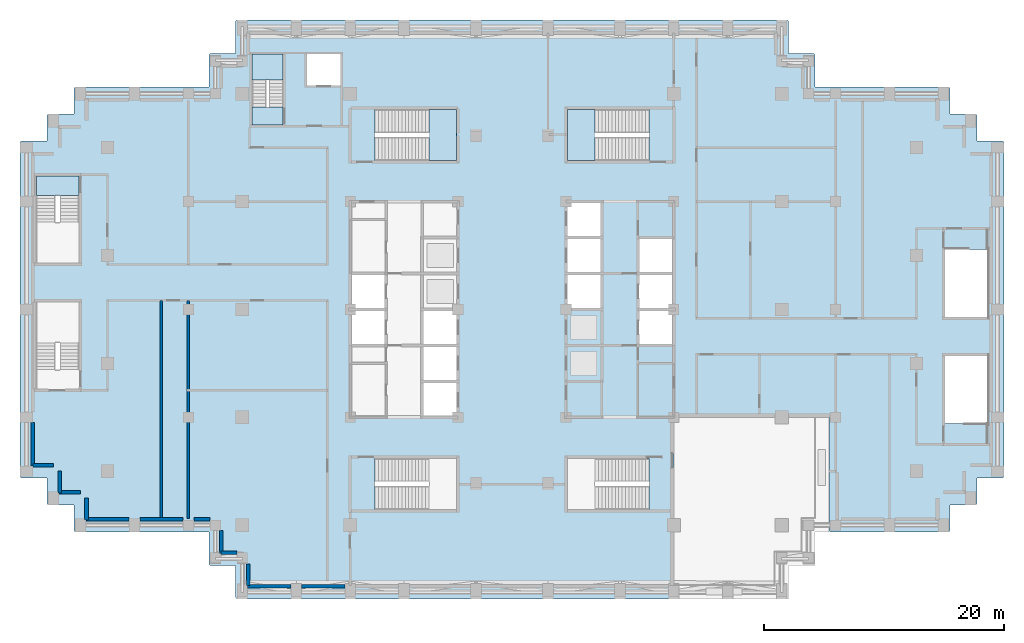
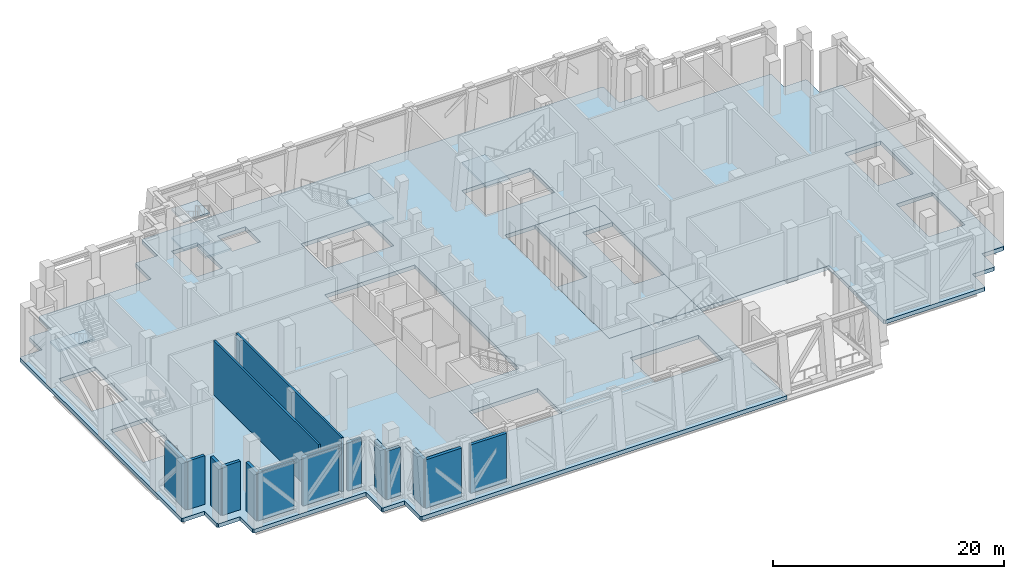
# One storey, part 4 of 14: 15 walls, 8 slabs, 4 elements without a shape of their own.
"""IFC4 building model written with IfcOpenShell, lengths in metres."""

from ifc_helpers import new_model, si_unit, direction, frame, frame_2d, origin, place, context, subcontext, project, spatial, polyline, rectangle, outline, extrude, material, layer, layer_set, type_object, element, aggregate, save


model = new_model("IFC4")

# Units and contexts
model_context = context("Model", 3, precision=1e-05, world=origin(), true_north=direction((0.0, 1.0)))
body_context = subcontext(model_context, "Body", "Model", "MODEL_VIEW")
ifc_project = project(units=[si_unit("LENGTHUNIT", "METRE"), si_unit("AREAUNIT", "SQUARE_METRE"), si_unit("VOLUMEUNIT", "CUBIC_METRE"), si_unit("PLANEANGLEUNIT", "RADIAN"), si_unit("MASSUNIT", "GRAM", prefix="KILO")], contexts=[model_context])

# Site, building, storey
site_placement = place(None, origin())
site = spatial("IfcSite", under=ifc_project, at=site_placement, CompositionType="ELEMENT")
building_placement = place(site_placement, origin())
building = spatial("IfcBuilding", under=site, at=building_placement, Name="Corbelhall Arena Tower", CompositionType="ELEMENT")
storey_placement = place(building_placement, frame((0.0, 0.0, 178.0)))
storey = spatial("IfcBuildingStorey", under=building, at=storey_placement, Name="L36", CompositionType="ELEMENT", Elevation=178.0)

# Slab
ifc_material_1 = material(Name="Concrete C40/50", Category="concrete")
ifc_layer_1 = layer(ifc_material_1, 0.300048828125)
ifc_layer_set_1 = layer_set([ifc_layer_1], Name="IN-SL-CORE")
slab_type_1 = type_object("IfcSlabType", Name="IN-SL-CORE", PredefinedType="FLOOR", material=ifc_layer_set_1)
slab_1_placement = place(storey_placement, frame((0.0, 0.0, -0.409912109375)))
element("IfcSlab", 1, at=slab_1_placement, inside=storey, type_object=slab_type_1, Name="Core floor E", PredefinedType="FLOOR", context=body_context, shape_type="SweptSolid", body=[
    extrude(outline(polyline([(7.5, 0.0), (4.5, 0.0), (4.5, -9.0), (13.5, -9.0), (13.5, -3.0), (10.5, -3.0), (10.5, 0.0), (10.5, 3.0), (10.5, 6.0), (13.5, 6.0), (13.5, 9.0), (7.5, 9.0), (7.5, 6.0), (7.5, 3.0), (7.5, 0.0)])), origin(), (0.0, 0.0, 1.0), 0.409912109375),
])

# Stair, slab
stair_type = type_object("IfcStairType", Name="IN-ST-TOWER", PredefinedType="HALF_TURN_STAIR", material=ifc_material_1)
stair_1_placement = place(storey_placement, origin())
stair_1 = element("IfcStair", 2, at=stair_1_placement, inside=storey, type_object=stair_type, Name="L36 Exit stair ST1", PredefinedType="HALF_TURN_STAIR")
ifc_layer_2 = layer(ifc_material_1, 0.199951171875)
ifc_layer_set_2 = layer_set([ifc_layer_2], Name="IN-SL-LANDING")
slab_type_2 = type_object("IfcSlabType", Name="IN-SL-LANDING", PredefinedType="LANDING", material=ifc_layer_set_2)
slab_2_placement = place(storey_placement, frame((0.0, 0.0, 2.800048828125)))
slab_2 = element("IfcSlab", 3, at=slab_2_placement, type_object=slab_type_2, Name="ST1 landing 1", PredefinedType="LANDING", context=body_context, shape_type="SweptSolid", body=[
    extrude(outline(polyline([(-6.945068359375, 12.425048828125), (-4.625, 12.425048828125), (-4.625, 16.675048828125), (-6.945068359375, 16.675048828125), (-6.945068359375, 12.425048828125)])), origin(), (0.0, 0.0, 1.0), 0.199951171875),
])
aggregate(stair_1, [slab_2])

stair_2_placement = place(storey_placement, origin())
stair_2 = element("IfcStair", 4, at=stair_2_placement, inside=storey, type_object=stair_type, Name="L36 Exit stair ST3", PredefinedType="HALF_TURN_STAIR")
slab_3_placement = place(storey_placement, frame((0.0, 0.0, 2.800048828125)))
slab_3 = element("IfcSlab", 5, at=slab_3_placement, type_object=slab_type_2, Name="ST3 landing 1", PredefinedType="LANDING", context=body_context, shape_type="SweptSolid", body=[
    extrude(outline(polyline([(6.945068359375, 16.675048828125), (4.625, 16.675048828125), (4.625, 12.425048828125), (6.945068359375, 12.425048828125), (6.945068359375, 16.675048828125)])), origin(), (0.0, 0.0, 1.0), 0.199951171875),
])
aggregate(stair_2, [slab_3])

stair_3_placement = place(storey_placement, origin())
stair_3 = element("IfcStair", 6, at=stair_3_placement, inside=storey, type_object=stair_type, Name="L36 Exit stair SC1", PredefinedType="HALF_TURN_STAIR")
slab_4_placement = place(storey_placement, frame((0.0, 0.0, 2.800048828125)))
slab_4 = element("IfcSlab", 7, at=slab_4_placement, type_object=slab_type_2, Name="SC1 landing 2", PredefinedType="LANDING", context=body_context, shape_type="SweptSolid", body=[
    extrude(outline(polyline([(-39.699951171875, 11.125), (-39.699951171875, 9.52490234375), (-36.125, 9.52490234375), (-36.125, 11.125), (-39.699951171875, 11.125)])), origin(), (0.0, 0.0, 1.0), 0.199951171875),
])
aggregate(stair_3, [slab_4])

# Stair, slabs
stair_4_placement = place(storey_placement, origin())
stair_4 = element("IfcStair", 8, at=stair_4_placement, inside=storey, type_object=stair_type, Name="L36 Exit stair ST5", PredefinedType="HALF_TURN_STAIR")
slab_5_placement = place(storey_placement, frame((0.0, 0.0, 1.300048828125)))
slab_5 = element("IfcSlab", 9, at=slab_5_placement, type_object=slab_type_2, Name="ST5 landing 1", PredefinedType="LANDING", context=body_context, shape_type="SweptSolid", body=[
    extrude(outline(polyline([(-19.094970703125, 19.139892578125), (-19.094970703125, 21.300048828125), (-21.695068359375, 21.300048828125), (-21.695068359375, 19.139892578125), (-19.094970703125, 19.139892578125)])), origin(), (0.0, 0.0, 1.0), 0.199951171875),
])
slab_6_placement = place(storey_placement, frame((0.0, 0.0, 2.800048828125)))
slab_6 = element("IfcSlab", 10, at=slab_6_placement, type_object=slab_type_2, Name="ST5 landing 2", PredefinedType="LANDING", context=body_context, shape_type="SweptSolid", body=[
    extrude(outline(polyline([(-19.094970703125, 15.39990234375), (-19.094970703125, 16.89990234375), (-21.695068359375, 16.89990234375), (-21.695068359375, 15.39990234375), (-19.094970703125, 15.39990234375)])), origin(), (0.0, 0.0, 1.0), 0.199951171875),
])
slab_7_placement = place(storey_placement, frame((0.0, 0.0, 4.300048828125)))
slab_7 = element("IfcSlab", 11, at=slab_7_placement, type_object=slab_type_2, Name="ST5 landing 3", PredefinedType="LANDING", context=body_context, shape_type="SweptSolid", body=[
    extrude(outline(polyline([(-19.094970703125, 19.139892578125), (-19.094970703125, 21.300048828125), (-21.695068359375, 21.300048828125), (-21.695068359375, 19.139892578125), (-19.094970703125, 19.139892578125)])), origin(), (0.0, 0.0, 1.0), 0.199951171875),
])
aggregate(stair_4, [slab_5, slab_6, slab_7])

# Slab
ifc_layer_3 = layer(ifc_material_1, 0.409912109375)
ifc_layer_set_3 = layer_set([ifc_layer_3], Name="ST-SLAB-FLOOR-410")
slab_type_3 = type_object("IfcSlabType", Name="ST-SLAB-FLOOR-410", PredefinedType="FLOOR", material=ifc_layer_set_3)
slab_8_placement = place(storey_placement, frame((0.0, 0.0, -0.409912109375)))
element("IfcSlab", 12, at=slab_8_placement, inside=storey, type_object=slab_type_3, Name="Floor slab L36 1", PredefinedType="FLOOR", context=body_context, shape_type="SweptSolid", body=[
    extrude(outline(polyline([(38.800048828125, 14.050048828125), (38.800048828125, 16.199951171875), (38.699951171875, 16.300048828125), (36.550048828125, 16.300048828125), (36.550048828125, 18.449951171875), (36.449951171875, 18.550048828125), (25.300048828125, 18.550048828125), (25.300048828125, 21.25), (25.199951171875, 21.35009765625), (23.050048828125, 21.35009765625), (23.050048828125, 24.050048828125), (22.949951171875, 24.14990234375), (-22.949951171875, 24.14990234375), (-23.050048828125, 24.050048828125), (-23.050048828125, 21.35009765625), (-25.199951171875, 21.35009765625), (-25.300048828125, 21.25), (-25.300048828125, 18.550048828125), (-36.449951171875, 18.550048828125), (-36.550048828125, 18.449951171875), (-36.550048828125, 16.300048828125), (-38.699951171875, 16.300048828125), (-38.800048828125, 16.199951171875), (-38.800048828125, 14.050048828125), (-40.949951171875, 14.050048828125), (-41.050048828125, 13.949951171875), (-41.050048828125, -13.949951171875), (-40.949951171875, -14.050048828125), (-38.800048828125, -14.050048828125), (-38.800048828125, -16.199951171875), (-38.699951171875, -16.300048828125), (-36.550048828125, -16.300048828125), (-36.550048828125, -18.449951171875), (-36.449951171875, -18.550048828125), (-25.300048828125, -18.550048828125), (-25.300048828125, -21.25), (-25.199951171875, -21.35009765625), (-23.050048828125, -21.35009765625), (-23.050048828125, -24.050048828125), (-22.949951171875, -24.14990234375), (13.5, -24.14990234375), (13.5, -9.0), (26.449951171875, -9.0), (26.449951171875, -18.449951171875), (26.550048828125, -18.550048828125), (36.449951171875, -18.550048828125), (36.550048828125, -18.449951171875), (36.550048828125, -16.300048828125), (38.699951171875, -16.300048828125), (38.800048828125, -16.199951171875), (38.800048828125, -14.050048828125), (40.949951171875, -14.050048828125), (41.050048828125, -13.949951171875), (41.050048828125, 13.949951171875), (40.949951171875, 14.050048828125), (38.800048828125, 14.050048828125)]), holes=[polyline([(13.498779296875, 8.997314453125), (4.501220703125, 8.997314453125), (4.501220703125, -8.997314453125), (13.498779296875, -8.997314453125), (13.498779296875, 8.997314453125)]), polyline([(-13.5, 9.0), (-13.5, -9.0), (-4.5, -9.0), (-4.5, 9.0), (-13.5, 9.0)]), polyline([(-4.625, 16.675048828125), (-11.422119140625, 16.675048828125), (-11.422119140625, 12.425048828125), (-4.625, 12.425048828125), (-4.625, 16.675048828125)]), polyline([(-4.625, -16.675048828125), (-4.625, -12.425048828125), (-11.422119140625, -12.425048828125), (-11.422119140625, -16.675048828125), (-4.625, -16.675048828125)]), polyline([(11.422119140625, 16.675048828125), (4.625, 16.675048828125), (4.625, 12.425048828125), (11.422119140625, 12.425048828125), (11.422119140625, 16.675048828125)]), polyline([(11.422119140625, -16.675048828125), (11.422119140625, -12.425048828125), (4.625, -12.425048828125), (4.625, -16.675048828125), (11.422119140625, -16.675048828125)]), polyline([(-36.125, 3.875), (-36.125, 9.52197265625), (-39.699951171875, 9.52197265625), (-39.699951171875, 3.875), (-36.125, 3.875)]), polyline([(-36.125, 0.625), (-39.699951171875, 0.625), (-39.699951171875, -5.02197265625), (-36.125, -5.02197265625), (-36.125, 0.625)]), polyline([(39.699951171875, -9.52197265625), (39.699951171875, -3.875), (36.125, -3.875), (36.125, -9.52197265625), (39.699951171875, -9.52197265625)]), polyline([(39.699951171875, 5.02197265625), (36.125, 5.02197265625), (36.125, -0.625), (39.699951171875, -0.625), (39.699951171875, 5.02197265625)]), polyline([(-21.695068359375, 21.300048828125), (-21.695068359375, 16.903076171875), (-19.094970703125, 16.903076171875), (-19.094970703125, 21.300048828125), (-21.695068359375, 21.300048828125)]), polyline([(-14.300048828125, 21.300048828125), (-17.10009765625, 21.300048828125), (-17.10009765625, 18.699951171875), (-14.300048828125, 18.699951171875), (-14.300048828125, 21.300048828125)])]), origin(), (0.0, 0.0, 1.0), 0.409912109375),
])

# Walls
ifc_material_2 = material(Name="Precast concrete C40/50 with granite facing", Category="masonry")
ifc_layer_4 = layer(ifc_material_2, 0.300048828125)
ifc_layer_set_4 = layer_set([ifc_layer_4], Name="EV-IW1 Infill panel 300")
wall_type_1 = type_object("IfcWallType", Name="EV-IW1 Infill panel 300", PredefinedType="SOLIDWALL", material=ifc_layer_set_4)
wall_1_placement = place(storey_placement, frame((-39.949951171875, -13.0, 0.0), z_axis=(0.0, 0.0, 1.0), x_axis=(1.0, 0.0, 0.0)))
element("IfcWall", 13, at=wall_1_placement, inside=storey, type_object=wall_type_1, Name="Infill panel IW1", PredefinedType="SOLIDWALL", context=body_context, shape_type="SweptSolid", body=[
    extrude(rectangle(XDim=1.699951171875, YDim=0.300048828125, at=frame_2d((0.85009765625, 0.0))), origin(), (0.0, 0.0, 1.0), 5.1201171875),
])
for number, where, z_axis, x_axis, name in (
    (14, (-37.75, -15.300048828125, 0.0), (0.0, 0.0, 1.0), (0.0, 1.0, 0.0), "Infill panel IW1"),
    (15, (-37.800048828125, -15.25, 0.0), (0.0, 0.0, 1.0), (1.0, 0.0, 0.0), "Infill panel IW1"),
    (16, (-35.5, -17.550048828125, 0.0), (0.0, 0.0, 1.0), (0.0, 1.0, 0.0), "Infill panel IW1"),
):
    element("IfcWall", number, at=place(storey_placement, frame(where, z_axis=z_axis, x_axis=x_axis)), inside=storey, type_object=wall_type_1, Name=name, PredefinedType="SOLIDWALL", context=body_context, shape_type="SweptSolid", body=[
        extrude(rectangle(XDim=1.800048828125, YDim=0.300048828125, at=frame_2d((0.89990234375, 0.0))), origin(), (0.0, 0.0, 1.0), 5.1201171875),
    ])
for number, where, z_axis, x_axis, name in (
    (17, (-40.0, -9.449951171875, 0.0), (0.0, 0.0, 1.0), (0.0, -1.0, 0.0), "Infill panel IW1"),
    (18, (-35.550048828125, -17.5, 0.0), (0.0, 0.0, 1.0), (1.0, 0.0, 0.0), "Infill panel IW1"),
    (19, (-31.050048828125, -17.5, 0.0), (0.0, 0.0, 1.0), (1.0, 0.0, 0.0), "Infill panel IW1"),
):
    element("IfcWall", number, at=place(storey_placement, frame(where, z_axis=z_axis, x_axis=x_axis)), inside=storey, type_object=wall_type_1, Name=name, PredefinedType="SOLIDWALL", context=body_context, shape_type="SweptSolid", body=[
        extrude(rectangle(XDim=3.60009765625, YDim=0.300048828125, at=frame_2d((1.800048828125, 0.0))), origin(), (0.0, 0.0, 1.0), 5.1201171875),
    ])
wall_2_placement = place(storey_placement, frame((-26.550048828125, -17.5, 0.0), z_axis=(0.0, 0.0, 1.0), x_axis=(1.0, 0.0, 0.0)))
element("IfcWall", 20, at=wall_2_placement, inside=storey, type_object=wall_type_1, Name="Infill panel IW1", PredefinedType="SOLIDWALL", context=body_context, shape_type="SweptSolid", body=[
    extrude(rectangle(XDim=1.35009765625, YDim=0.300048828125, at=frame_2d((0.675048828125, 0.0))), origin(), (0.0, 0.0, 1.0), 5.1201171875),
])
wall_3_placement = place(storey_placement, frame((-24.25, -18.449951171875, 0.0), z_axis=(0.0, 0.0, 1.0), x_axis=(0.0, -1.0, 0.0)))
element("IfcWall", 21, at=wall_3_placement, inside=storey, type_object=wall_type_1, Name="Infill panel IW1", PredefinedType="SOLIDWALL", context=body_context, shape_type="SweptSolid", body=[
    extrude(rectangle(XDim=1.900146484375, YDim=0.300048828125, at=frame_2d((0.9501953125, 0.0))), origin(), (0.0, 0.0, 1.0), 5.1201171875),
])
wall_4_placement = place(storey_placement, frame((-24.300048828125, -20.300048828125, 0.0), z_axis=(0.0, 0.0, 1.0), x_axis=(1.0, 0.0, 0.0)))
element("IfcWall", 22, at=wall_4_placement, inside=storey, type_object=wall_type_1, Name="Infill panel IW1", PredefinedType="SOLIDWALL", context=body_context, shape_type="SweptSolid", body=[
    extrude(rectangle(XDim=1.35009765625, YDim=0.300048828125, at=frame_2d((0.675048828125, 0.0))), origin(), (0.0, 0.0, 1.0), 5.1201171875),
])
wall_5_placement = place(storey_placement, frame((-22.0, -21.25, 0.0), z_axis=(0.0, 0.0, 1.0), x_axis=(0.0, -1.0, 0.0)))
element("IfcWall", 23, at=wall_5_placement, inside=storey, type_object=wall_type_1, Name="Infill panel IW1", PredefinedType="SOLIDWALL", context=body_context, shape_type="SweptSolid", body=[
    extrude(rectangle(XDim=1.800048828125, YDim=0.300048828125, at=frame_2d((0.89990234375, 0.0))), origin(), (0.0, 0.0, 1.0), 5.1201171875),
])
for number, where, z_axis, x_axis, name in (
    (24, (-22.050048828125, -23.10009765625, 0.0), (0.0, 0.0, 1.0), (1.0, 0.0, 0.0), "Infill panel IW1"),
    (25, (-17.550048828125, -23.10009765625, 0.0), (0.0, 0.0, 1.0), (1.0, 0.0, 0.0), "Infill panel IW1"),
):
    element("IfcWall", number, at=place(storey_placement, frame(where, z_axis=z_axis, x_axis=x_axis)), inside=storey, type_object=wall_type_1, Name=name, PredefinedType="SOLIDWALL", context=body_context, shape_type="SweptSolid", body=[
        extrude(rectangle(XDim=3.60009765625, YDim=0.300048828125, at=frame_2d((1.800048828125, 0.0))), origin(), (0.0, 0.0, 1.0), 5.1201171875),
    ])
ifc_material_3 = material(Name="Gypsum board on steel stud, acoustic", Category="steel")
ifc_layer_5 = layer(ifc_material_3, 0.199951171875)
ifc_layer_set_5 = layer_set([ifc_layer_5], Name="IN-W-DM200")
wall_type_2 = type_object("IfcWallType", Name="IN-W-DM200", PredefinedType="PARTITIONING", material=ifc_layer_set_5)
wall_6_placement = place(storey_placement, frame((-29.25, 0.75, 0.0), z_axis=(0.0, 0.0, 1.0), x_axis=(0.0, -1.0, 0.0)))
element("IfcWall", 26, at=wall_6_placement, inside=storey, type_object=wall_type_2, Name="Partition 006", PredefinedType="PARTITIONING", context=body_context, shape_type="SweptSolid", body=[
    extrude(rectangle(XDim=18.10009765625, YDim=0.199951171875, at=frame_2d((9.050048828125, 0.0))), origin(), (0.0, 0.0, 1.0), 5.719970703125),
])
wall_7_placement = place(storey_placement, frame((-27.0, -17.449951171875, 0.0), z_axis=(0.0, 0.0, 1.0), x_axis=(0.0, 1.0, 0.0)))
element("IfcWall", 27, at=wall_7_placement, inside=storey, type_object=wall_type_2, Name="Partition 010", PredefinedType="PARTITIONING", context=body_context, shape_type="SweptSolid", body=[
    extrude(rectangle(XDim=18.199951171875, YDim=0.199951171875, at=frame_2d((9.10009765625, 0.0))), origin(), (0.0, 0.0, 1.0), 5.719970703125),
])

save(model, "model.ifc")
